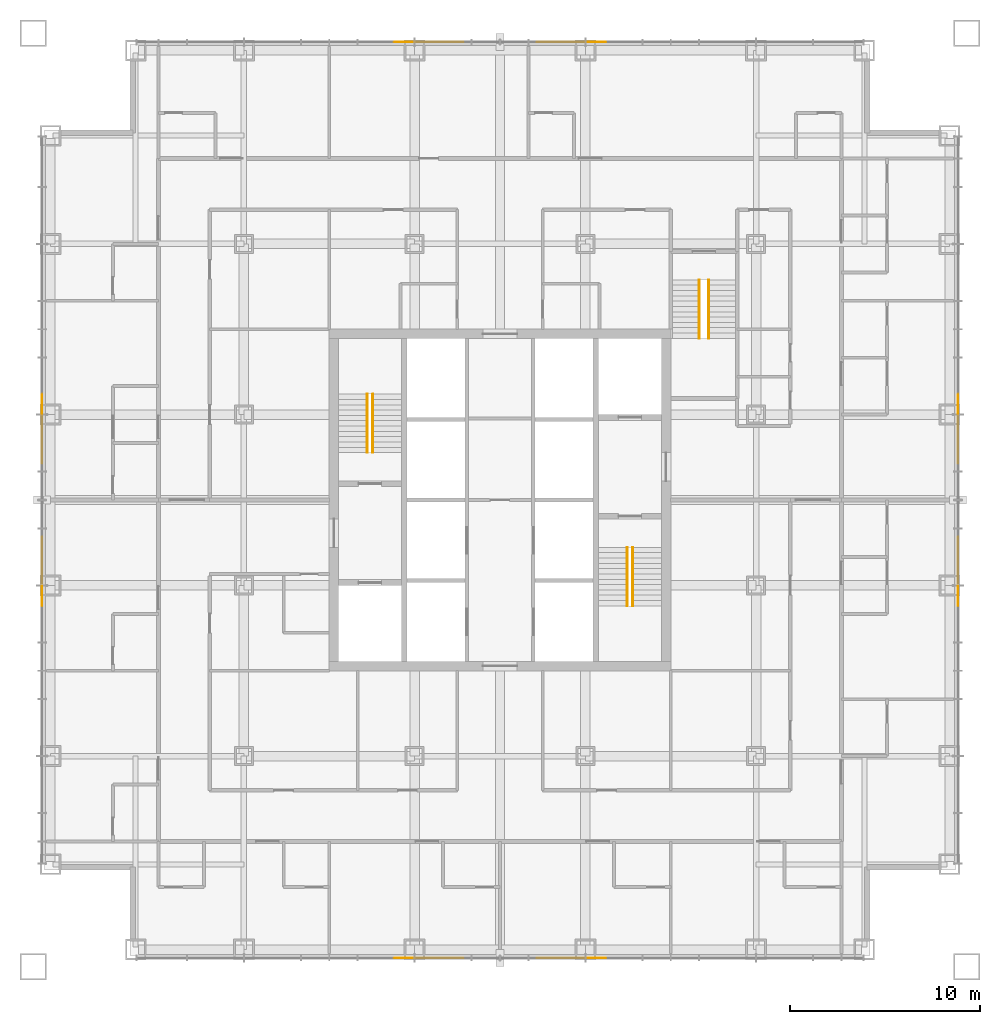
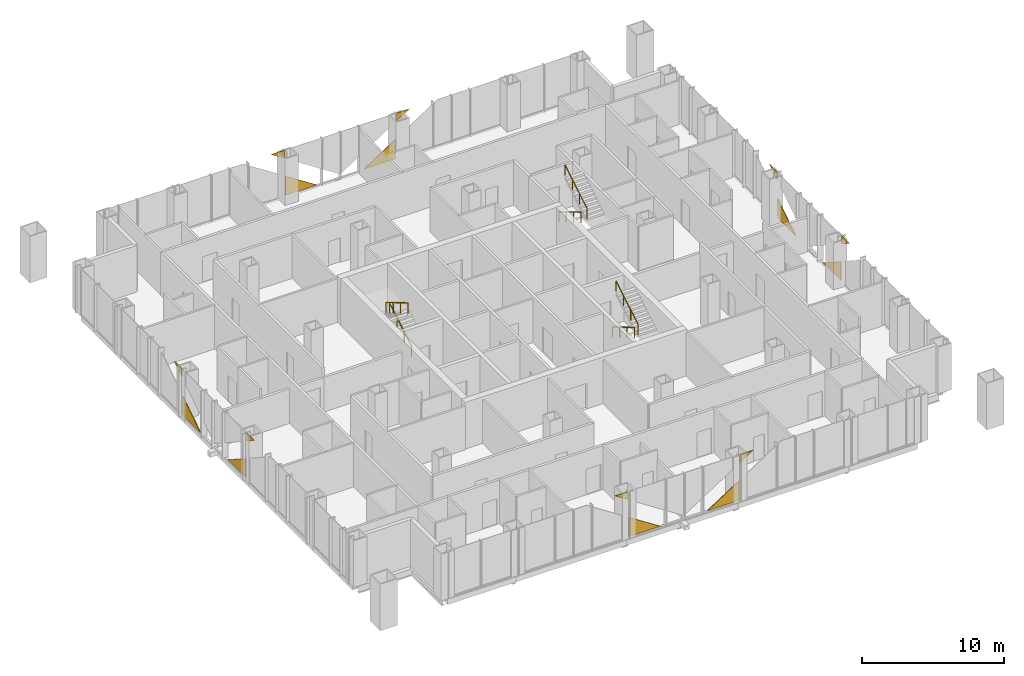
# One storey, part 13 of 13: 16 coverings, 6 railings.
"""IFC4 building model written with IfcOpenShell, lengths in metres."""

from ifc_helpers import new_model, si_unit, direction, frame, origin, origin_2d, place, context, subcontext, project, spatial, polyline, circle, outline, extrude, material, layer, layer_set, type_object, element, save


model = new_model("IFC4")

# Units and contexts
model_context = context("Model", 3, precision=1e-05, world=origin(), true_north=direction((0.0, 1.0)))
body_context = subcontext(model_context, "Body", "Model", "MODEL_VIEW")
ifc_project = project(units=[si_unit("LENGTHUNIT", "METRE"), si_unit("AREAUNIT", "SQUARE_METRE"), si_unit("VOLUMEUNIT", "CUBIC_METRE"), si_unit("PLANEANGLEUNIT", "RADIAN"), si_unit("MASSUNIT", "GRAM", prefix="KILO")], contexts=[model_context])

# Site, building, storey
site_placement = place(None, origin())
site = spatial("IfcSite", under=ifc_project, at=site_placement, CompositionType="ELEMENT")
building_placement = place(site_placement, origin())
building = spatial("IfcBuilding", under=site, at=building_placement, Name="Malebo Sky Hospital", CompositionType="ELEMENT")
storey_placement = place(building_placement, frame((0.0, 0.0, 156.0)))
storey = spatial("IfcBuildingStorey", under=building, at=storey_placement, Name="L37", CompositionType="ELEMENT", Elevation=156.0)

# Coverings
ifc_material_1 = material(Name="Anodised aluminium, natural silver insulated infill panel", Category="aluminium")
ifc_layer = layer(ifc_material_1, 0.0400390625)
ifc_layer_set = layer_set([ifc_layer], Name="BRACE INFILL PANEL 40")
covering_type = type_object("IfcCoveringType", Name="BRACE INFILL PANEL 40", PredefinedType="CLADDING", material=ifc_layer_set)
covering_1_placement = place(storey_placement, frame((54.93017578125, 86.135009765625, 3.297607421875), z_axis=(0.0, 0.0, 1.0), x_axis=(1.0, 0.0, 0.0)))
element("IfcCovering", 1, at=covering_1_placement, inside=storey, type_object=covering_type, Name="Brace infill panel 7.1", PredefinedType="CLADDING", context=body_context, shape_type="SweptSolid", body=[
    extrude(outline(polyline([(0.532470703125, 0.0), (0.532470703125, 0.6923828125), (-0.532470703125, 0.6923828125), (0.532470703125, 0.0)])), frame((0.0, 0.02001953125, 0.0), z_axis=(0.0, -1.0, 0.0), x_axis=(1.0, 0.0, 0.0)), (0.0, 0.0, 1.0), 0.0400390625),
])
covering_2_placement = place(storey_placement, frame((56.810791015625, 86.135009765625, 0.10009765625), z_axis=(0.0, 0.0, 1.0), x_axis=(1.0, 0.0, 0.0)))
element("IfcCovering", 2, at=covering_2_placement, inside=storey, type_object=covering_type, Name="Brace infill panel 8.1", PredefinedType="CLADDING", context=body_context, shape_type="SweptSolid", body=[
    extrude(outline(polyline([(-1.2734375, 0.0), (1.273193359375, 0.0), (-1.2734375, 1.656494140625), (-1.2734375, 0.0)])), frame((0.0, 0.02001953125, 0.0), z_axis=(0.0, -1.0, 0.0), x_axis=(1.0, 0.0, 0.0)), (0.0, 0.0, 1.0), 0.0400390625),
])
covering_3_placement = place(storey_placement, frame((63.189208984375, 86.135009765625, 0.10009765625), z_axis=(0.0, 0.0, 1.0), x_axis=(1.0, 0.0, 0.0)))
element("IfcCovering", 3, at=covering_3_placement, inside=storey, type_object=covering_type, Name="Brace infill panel 11.1", PredefinedType="CLADDING", context=body_context, shape_type="SweptSolid", body=[
    extrude(outline(polyline([(-1.273193359375, 0.0), (1.2734375, 0.0), (1.2734375, 1.656494140625), (-1.273193359375, 0.0)])), frame((0.0, 0.02001953125, 0.0), z_axis=(0.0, -1.0, 0.0), x_axis=(1.0, 0.0, 0.0)), (0.0, 0.0, 1.0), 0.0400390625),
])
covering_4_placement = place(storey_placement, frame((65.06982421875, 86.135009765625, 3.297607421875), z_axis=(0.0, 0.0, 1.0), x_axis=(1.0, 0.0, 0.0)))
element("IfcCovering", 4, at=covering_4_placement, inside=storey, type_object=covering_type, Name="Brace infill panel 12.1", PredefinedType="CLADDING", context=body_context, shape_type="SweptSolid", body=[
    extrude(outline(polyline([(-0.532470703125, 0.0), (0.532470703125, 0.6923828125), (-0.532470703125, 0.6923828125), (-0.532470703125, 0.0)])), frame((0.0, 0.02001953125, 0.0), z_axis=(0.0, -1.0, 0.0), x_axis=(1.0, 0.0, 0.0)), (0.0, 0.0, 1.0), 0.0400390625),
])
covering_5_placement = place(storey_placement, frame((35.864990234375, 56.93017578125, 3.297607421875), z_axis=(0.0, 0.0, 1.0), x_axis=(0.0, 1.0, 0.0)))
element("IfcCovering", 5, at=covering_5_placement, inside=storey, type_object=covering_type, Name="Brace infill panel 7.1", PredefinedType="CLADDING", context=body_context, shape_type="SweptSolid", body=[
    extrude(outline(polyline([(0.532470703125, 0.0), (0.532470703125, 0.6923828125), (-0.532470703125, 0.6923828125), (0.532470703125, 0.0)])), frame((0.0, 0.02001953125, 0.0), z_axis=(0.0, -1.0, 0.0), x_axis=(1.0, 0.0, 0.0)), (0.0, 0.0, 1.0), 0.0400390625),
])
covering_6_placement = place(storey_placement, frame((35.864990234375, 58.810791015625, 0.10009765625), z_axis=(0.0, 0.0, 1.0), x_axis=(0.0, 1.0, 0.0)))
element("IfcCovering", 6, at=covering_6_placement, inside=storey, type_object=covering_type, Name="Brace infill panel 8.1", PredefinedType="CLADDING", context=body_context, shape_type="SweptSolid", body=[
    extrude(outline(polyline([(-1.2734375, 0.0), (1.273193359375, 0.0), (-1.2734375, 1.656494140625), (-1.2734375, 0.0)])), frame((0.0, 0.02001953125, 0.0), z_axis=(0.0, -1.0, 0.0), x_axis=(1.0, 0.0, 0.0)), (0.0, 0.0, 1.0), 0.0400390625),
])
covering_7_placement = place(storey_placement, frame((35.864990234375, 65.189208984375, 0.10009765625), z_axis=(0.0, 0.0, 1.0), x_axis=(0.0, 1.0, 0.0)))
element("IfcCovering", 7, at=covering_7_placement, inside=storey, type_object=covering_type, Name="Brace infill panel 11.1", PredefinedType="CLADDING", context=body_context, shape_type="SweptSolid", body=[
    extrude(outline(polyline([(-1.273193359375, 0.0), (1.2734375, 0.0), (1.2734375, 1.656494140625), (-1.273193359375, 0.0)])), frame((0.0, 0.02001953125, 0.0), z_axis=(0.0, -1.0, 0.0), x_axis=(1.0, 0.0, 0.0)), (0.0, 0.0, 1.0), 0.0400390625),
])
covering_8_placement = place(storey_placement, frame((35.864990234375, 67.06982421875, 3.297607421875), z_axis=(0.0, 0.0, 1.0), x_axis=(0.0, 1.0, 0.0)))
element("IfcCovering", 8, at=covering_8_placement, inside=storey, type_object=covering_type, Name="Brace infill panel 12.1", PredefinedType="CLADDING", context=body_context, shape_type="SweptSolid", body=[
    extrude(outline(polyline([(-0.532470703125, 0.0), (0.532470703125, 0.6923828125), (-0.532470703125, 0.6923828125), (-0.532470703125, 0.0)])), frame((0.0, 0.02001953125, 0.0), z_axis=(0.0, -1.0, 0.0), x_axis=(1.0, 0.0, 0.0)), (0.0, 0.0, 1.0), 0.0400390625),
])
covering_9_placement = place(storey_placement, frame((65.06982421875, 37.864990234375, 3.297607421875), z_axis=(0.0, 0.0, 1.0), x_axis=(-1.0, 0.0, 0.0)))
element("IfcCovering", 9, at=covering_9_placement, inside=storey, type_object=covering_type, Name="Brace infill panel 7.1", PredefinedType="CLADDING", context=body_context, shape_type="SweptSolid", body=[
    extrude(outline(polyline([(0.532470703125, 0.0), (0.532470703125, 0.6923828125), (-0.532470703125, 0.6923828125), (0.532470703125, 0.0)])), frame((0.0, 0.02001953125, 0.0), z_axis=(0.0, -1.0, 0.0), x_axis=(1.0, 0.0, 0.0)), (0.0, 0.0, 1.0), 0.0400390625),
])
covering_10_placement = place(storey_placement, frame((63.189208984375, 37.864990234375, 0.10009765625), z_axis=(0.0, 0.0, 1.0), x_axis=(-1.0, 0.0, 0.0)))
element("IfcCovering", 10, at=covering_10_placement, inside=storey, type_object=covering_type, Name="Brace infill panel 8.1", PredefinedType="CLADDING", context=body_context, shape_type="SweptSolid", body=[
    extrude(outline(polyline([(-1.2734375, 0.0), (1.273193359375, 0.0), (-1.2734375, 1.656494140625), (-1.2734375, 0.0)])), frame((0.0, 0.02001953125, 0.0), z_axis=(0.0, -1.0, 0.0), x_axis=(1.0, 0.0, 0.0)), (0.0, 0.0, 1.0), 0.0400390625),
])
covering_11_placement = place(storey_placement, frame((56.810791015625, 37.864990234375, 0.10009765625), z_axis=(0.0, 0.0, 1.0), x_axis=(-1.0, 0.0, 0.0)))
element("IfcCovering", 11, at=covering_11_placement, inside=storey, type_object=covering_type, Name="Brace infill panel 11.1", PredefinedType="CLADDING", context=body_context, shape_type="SweptSolid", body=[
    extrude(outline(polyline([(-1.273193359375, 0.0), (1.2734375, 0.0), (1.2734375, 1.656494140625), (-1.273193359375, 0.0)])), frame((0.0, 0.02001953125, 0.0), z_axis=(0.0, -1.0, 0.0), x_axis=(1.0, 0.0, 0.0)), (0.0, 0.0, 1.0), 0.0400390625),
])
covering_12_placement = place(storey_placement, frame((54.93017578125, 37.864990234375, 3.297607421875), z_axis=(0.0, 0.0, 1.0), x_axis=(-1.0, 0.0, 0.0)))
element("IfcCovering", 12, at=covering_12_placement, inside=storey, type_object=covering_type, Name="Brace infill panel 12.1", PredefinedType="CLADDING", context=body_context, shape_type="SweptSolid", body=[
    extrude(outline(polyline([(-0.532470703125, 0.0), (0.532470703125, 0.6923828125), (-0.532470703125, 0.6923828125), (-0.532470703125, 0.0)])), frame((0.0, 0.02001953125, 0.0), z_axis=(0.0, -1.0, 0.0), x_axis=(1.0, 0.0, 0.0)), (0.0, 0.0, 1.0), 0.0400390625),
])
covering_13_placement = place(storey_placement, frame((84.135009765625, 67.06982421875, 3.297607421875), z_axis=(0.0, 0.0, 1.0), x_axis=(0.0, -1.0, 0.0)))
element("IfcCovering", 13, at=covering_13_placement, inside=storey, type_object=covering_type, Name="Brace infill panel 7.1", PredefinedType="CLADDING", context=body_context, shape_type="SweptSolid", body=[
    extrude(outline(polyline([(0.532470703125, 0.0), (0.532470703125, 0.6923828125), (-0.532470703125, 0.6923828125), (0.532470703125, 0.0)])), frame((0.0, 0.02001953125, 0.0), z_axis=(0.0, -1.0, 0.0), x_axis=(1.0, 0.0, 0.0)), (0.0, 0.0, 1.0), 0.0400390625),
])
covering_14_placement = place(storey_placement, frame((84.135009765625, 65.189208984375, 0.10009765625), z_axis=(0.0, 0.0, 1.0), x_axis=(0.0, -1.0, 0.0)))
element("IfcCovering", 14, at=covering_14_placement, inside=storey, type_object=covering_type, Name="Brace infill panel 8.1", PredefinedType="CLADDING", context=body_context, shape_type="SweptSolid", body=[
    extrude(outline(polyline([(-1.2734375, 0.0), (1.273193359375, 0.0), (-1.2734375, 1.656494140625), (-1.2734375, 0.0)])), frame((0.0, 0.02001953125, 0.0), z_axis=(0.0, -1.0, 0.0), x_axis=(1.0, 0.0, 0.0)), (0.0, 0.0, 1.0), 0.0400390625),
])
covering_15_placement = place(storey_placement, frame((84.135009765625, 58.810791015625, 0.10009765625), z_axis=(0.0, 0.0, 1.0), x_axis=(0.0, -1.0, 0.0)))
element("IfcCovering", 15, at=covering_15_placement, inside=storey, type_object=covering_type, Name="Brace infill panel 11.1", PredefinedType="CLADDING", context=body_context, shape_type="SweptSolid", body=[
    extrude(outline(polyline([(-1.273193359375, 0.0), (1.2734375, 0.0), (1.2734375, 1.656494140625), (-1.273193359375, 0.0)])), frame((0.0, 0.02001953125, 0.0), z_axis=(0.0, -1.0, 0.0), x_axis=(1.0, 0.0, 0.0)), (0.0, 0.0, 1.0), 0.0400390625),
])
covering_16_placement = place(storey_placement, frame((84.135009765625, 56.93017578125, 3.297607421875), z_axis=(0.0, 0.0, 1.0), x_axis=(0.0, -1.0, 0.0)))
element("IfcCovering", 16, at=covering_16_placement, inside=storey, type_object=covering_type, Name="Brace infill panel 12.1", PredefinedType="CLADDING", context=body_context, shape_type="SweptSolid", body=[
    extrude(outline(polyline([(-0.532470703125, 0.0), (0.532470703125, 0.6923828125), (-0.532470703125, 0.6923828125), (-0.532470703125, 0.0)])), frame((0.0, 0.02001953125, 0.0), z_axis=(0.0, -1.0, 0.0), x_axis=(1.0, 0.0, 0.0)), (0.0, 0.0, 1.0), 0.0400390625),
])

# Railings
ifc_material_2 = material(Name="Stainless steel tube", Category="steel")
railing_type = type_object("IfcRailingType", Name="STAIR HANDRAIL 900", PredefinedType="HANDRAIL", material=ifc_material_2)
railing_1_placement = place(storey_placement, frame((53.300048828125, 64.5, 0.166748046875)))
element("IfcRailing", 17, at=railing_1_placement, inside=storey, type_object=railing_type, Name="Stair handrail S1 flight 1", PredefinedType="HANDRAIL", context=body_context, shape_type="SweptSolid", body=[
    extrude(circle(Radius=0.02392578125, at=origin_2d()), frame((0.0, 0.0, 0.8759765625), z_axis=(0.0, 0.859308565015, 0.511457515432), x_axis=(-1.0, 0.0, 0.0)), (0.0, 0.0, 1.0), 3.58447265625),
    extrude(circle(Radius=0.02099609375, at=origin_2d()), origin(), (0.0, 0.0, 1.0), 0.851806640625),
    extrude(circle(Radius=0.02099609375, at=origin_2d()), frame((0.0, 1.026611328125, 0.611083984375)), (0.0, 0.0, 1.0), 0.851806640625),
    extrude(circle(Radius=0.02099609375, at=origin_2d()), frame((0.0, 2.053466796875, 1.22216796875)), (0.0, 0.0, 1.0), 0.851806640625),
    extrude(circle(Radius=0.02099609375, at=origin_2d()), frame((0.0, 3.080078125, 1.833251953125)), (0.0, 0.0, 1.0), 0.851806640625),
])
for number, where, name in (
    (18, (53.0, 67.580078125, 2.166748046875), "Stair handrail S1 flight 2"),
    (19, (66.699951171875, 59.5, 0.166748046875), "Stair handrail S2 flight 1"),
):
    element("IfcRailing", number, at=place(storey_placement, frame(where)), inside=storey, type_object=railing_type, Name=name, PredefinedType="HANDRAIL", context=body_context, shape_type="SweptSolid", body=[
        extrude(circle(Radius=0.02392578125, at=origin_2d()), frame((0.0, 0.0, 0.8759765625), z_axis=(0.0, -0.859308565015, 0.511457515432), x_axis=(1.0, 0.0, 0.0)), (0.0, 0.0, 1.0), 3.58447265625),
        extrude(circle(Radius=0.02099609375, at=origin_2d()), origin(), (0.0, 0.0, 1.0), 0.851806640625),
        extrude(circle(Radius=0.02099609375, at=origin_2d()), frame((0.0, -1.026611328125, 0.611083984375)), (0.0, 0.0, 1.0), 0.851806640625),
        extrude(circle(Radius=0.02099609375, at=origin_2d()), frame((0.0, -2.053466796875, 1.22216796875)), (0.0, 0.0, 1.0), 0.851806640625),
        extrude(circle(Radius=0.02099609375, at=origin_2d()), frame((0.0, -3.080078125, 1.833251953125)), (0.0, 0.0, 1.0), 0.851806640625),
    ])
railing_2_placement = place(storey_placement, frame((67.0, 56.419921875, 2.166748046875)))
element("IfcRailing", 20, at=railing_2_placement, inside=storey, type_object=railing_type, Name="Stair handrail S2 flight 2", PredefinedType="HANDRAIL", context=body_context, shape_type="SweptSolid", body=[
    extrude(circle(Radius=0.02392578125, at=origin_2d()), frame((0.0, 0.0, 0.8759765625), z_axis=(0.0, 0.859308565015, 0.511457515432), x_axis=(-1.0, 0.0, 0.0)), (0.0, 0.0, 1.0), 3.58447265625),
    extrude(circle(Radius=0.02099609375, at=origin_2d()), origin(), (0.0, 0.0, 1.0), 0.851806640625),
    extrude(circle(Radius=0.02099609375, at=origin_2d()), frame((0.0, 1.026611328125, 0.611083984375)), (0.0, 0.0, 1.0), 0.851806640625),
    extrude(circle(Radius=0.02099609375, at=origin_2d()), frame((0.0, 2.053466796875, 1.22216796875)), (0.0, 0.0, 1.0), 0.851806640625),
    extrude(circle(Radius=0.02099609375, at=origin_2d()), frame((0.0, 3.080078125, 1.833251953125)), (0.0, 0.0, 1.0), 0.851806640625),
])
railing_3_placement = place(storey_placement, frame((70.5, 73.60009765625, 0.166748046875)))
element("IfcRailing", 21, at=railing_3_placement, inside=storey, type_object=railing_type, Name="Stair handrail S3 flight 1", PredefinedType="HANDRAIL", context=body_context, shape_type="SweptSolid", body=[
    extrude(circle(Radius=0.02392578125, at=origin_2d()), frame((0.0, 0.0, 0.8759765625), z_axis=(0.0, -0.859308565015, 0.511457515432), x_axis=(1.0, 0.0, 0.0)), (0.0, 0.0, 1.0), 3.58447265625),
    extrude(circle(Radius=0.02099609375, at=origin_2d()), origin(), (0.0, 0.0, 1.0), 0.851806640625),
    extrude(circle(Radius=0.02099609375, at=origin_2d()), frame((0.0, -1.026611328125, 0.611083984375)), (0.0, 0.0, 1.0), 0.851806640625),
    extrude(circle(Radius=0.02099609375, at=origin_2d()), frame((0.0, -2.053466796875, 1.22216796875)), (0.0, 0.0, 1.0), 0.851806640625),
    extrude(circle(Radius=0.02099609375, at=origin_2d()), frame((0.0, -3.080078125, 1.833251953125)), (0.0, 0.0, 1.0), 0.851806640625),
])
railing_4_placement = place(storey_placement, frame((71.0, 70.52001953125, 2.166748046875)))
element("IfcRailing", 22, at=railing_4_placement, inside=storey, type_object=railing_type, Name="Stair handrail S3 flight 2", PredefinedType="HANDRAIL", context=body_context, shape_type="SweptSolid", body=[
    extrude(circle(Radius=0.02392578125, at=origin_2d()), frame((0.0, 0.0, 0.8759765625), z_axis=(0.0, 0.859308565015, 0.511457515432), x_axis=(-1.0, 0.0, 0.0)), (0.0, 0.0, 1.0), 3.58447265625),
    extrude(circle(Radius=0.02099609375, at=origin_2d()), origin(), (0.0, 0.0, 1.0), 0.851806640625),
    extrude(circle(Radius=0.02099609375, at=origin_2d()), frame((0.0, 1.026611328125, 0.611083984375)), (0.0, 0.0, 1.0), 0.851806640625),
    extrude(circle(Radius=0.02099609375, at=origin_2d()), frame((0.0, 2.053466796875, 1.22216796875)), (0.0, 0.0, 1.0), 0.851806640625),
    extrude(circle(Radius=0.02099609375, at=origin_2d()), frame((0.0, 3.080078125, 1.833251953125)), (0.0, 0.0, 1.0), 0.851806640625),
])

save(model, "model.ifc")
